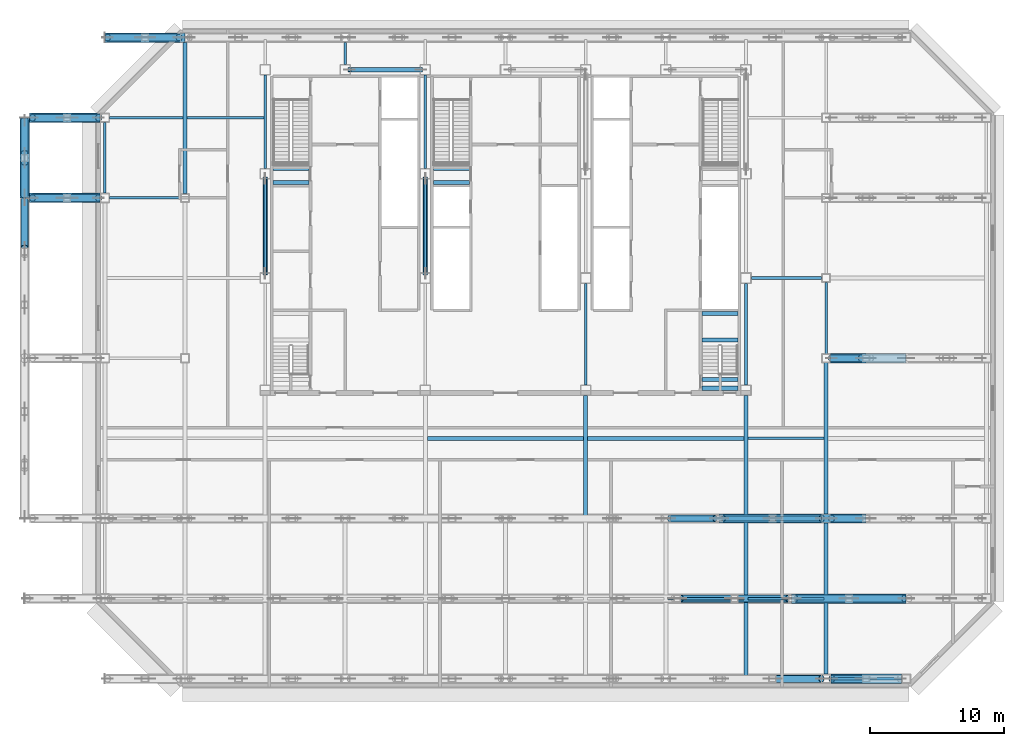
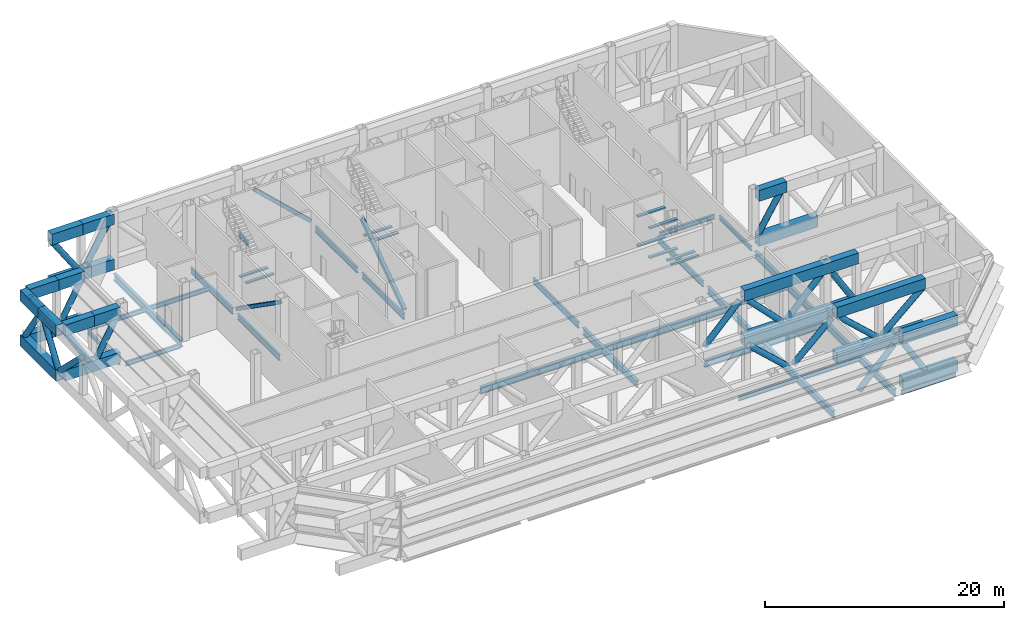
# One storey, part 3 of 17: 56 beams, 23 members.
"""IFC4 building model written with IfcOpenShell, lengths in metres."""

from ifc_helpers import new_model, si_unit, direction, frame, origin, origin_2d, place, context, subcontext, project, spatial, rectangle, hollow_rectangle, hollow_circle, i_section, extrude, material, material_profile, profile_set, type_object, element, save


model = new_model("IFC4")

# Units and contexts
model_context = context("Model", 3, precision=1e-05, world=origin(), true_north=direction((0.0, 1.0)))
body_context = subcontext(model_context, "Body", "Model", "MODEL_VIEW")
ifc_project = project(units=[si_unit("LENGTHUNIT", "METRE"), si_unit("AREAUNIT", "SQUARE_METRE"), si_unit("VOLUMEUNIT", "CUBIC_METRE"), si_unit("PLANEANGLEUNIT", "RADIAN"), si_unit("MASSUNIT", "GRAM", prefix="KILO")], contexts=[model_context])

# Site, building, storey
site_placement = place(None, origin())
site = spatial("IfcSite", under=ifc_project, at=site_placement, CompositionType="ELEMENT")
building_placement = place(site_placement, origin())
building = spatial("IfcBuilding", under=site, at=building_placement, Name="Sorahane Residences", CompositionType="ELEMENT")
storey_placement = place(building_placement, frame((0.0, 0.0, 186.0)))
storey = spatial("IfcBuildingStorey", under=building, at=storey_placement, Name="L43", CompositionType="ELEMENT", Elevation=186.0)

# Members
ifc_material_1 = material(Name="Steel Q355B", Category="steel")
ifc_material_profile_1 = material_profile(ifc_material_1, hollow_rectangle(XDim=0.35009765625, YDim=0.35009765625, WallThickness=0.01806640625, InnerFilletRadius=0.009033203125, OuterFilletRadius=0.027099609375, at=origin_2d()), Name="RHS 350x350x18")
ifc_profile_set_1 = profile_set([ifc_material_profile_1], Name="Steel Q355B")
member_type_1 = type_object("IfcMemberType", Name="Core brace RHS 350x350x18 Q355B", PredefinedType="BRACE", material=ifc_profile_set_1)
member_1_placement = place(storey_placement, frame((17.672119140625, 45.60009765625, 0.107177734375), z_axis=(-0.727807481215, 0.0, 0.685781503314), x_axis=(0.0, -1.0, 0.0)))
element("IfcMember", 1, at=member_1_placement, inside=storey, type_object=member_type_1, Name="Core brace L43 y45.6-2", PredefinedType="BRACE", context=body_context, shape_type="SweptSolid", body=[
    extrude(hollow_rectangle(XDim=0.35009765625, YDim=0.35009765625, WallThickness=0.01806640625, InnerFilletRadius=0.009033203125, OuterFilletRadius=0.027099609375, at=origin_2d()), origin(), (0.0, 0.0, 1.0), 7.343017578125),
])
for number, where, z_axis, x_axis, name in (
    (2, (6.0, 37.460205078125, 0.1328125), (0.0, -0.8192253223, 0.573471770275), (1.0, 0.0, 0.0), "Core brace L43 x6-2"),
    (3, (18.0, 30.33984375, 0.1328125), (0.0, 0.8192253223, 0.573471770275), (-1.0, 0.0, 0.0), "Core brace L43 x18-1"),
):
    element("IfcMember", number, at=place(storey_placement, frame(where, z_axis=z_axis, x_axis=x_axis)), inside=storey, type_object=member_type_1, Name=name, PredefinedType="BRACE", context=body_context, shape_type="SweptSolid", body=[
        extrude(hollow_rectangle(XDim=0.35009765625, YDim=0.35009765625, WallThickness=0.01806640625, InnerFilletRadius=0.009033203125, OuterFilletRadius=0.027099609375, at=origin_2d()), origin(), (0.0, 0.0, 1.0), 8.691650390625),
    ])

# Beams
ifc_material_2 = material(Name="Concrete C40", Category="concrete")
ifc_material_profile_2 = material_profile(ifc_material_2, rectangle(XDim=0.300048828125, YDim=0.139892578125, at=origin_2d()), Name="300x140")
ifc_profile_set_2 = profile_set([ifc_material_profile_2], Name="Concrete C40")
beam_type_1 = type_object("IfcBeamType", Name="RC landing beam 300 x 140 Concrete C40", PredefinedType="BEAM", material=ifc_profile_set_2)
for number, where, z_axis, x_axis, name in (
    (4, (6.60009765625, 37.14990234375, 2.72998046875), (1.0, 0.0, 0.0), (0.0, 1.0, 0.0), "Landing beam"),
    (5, (6.60009765625, 38.18994140625, 2.72998046875), (1.0, 0.0, 0.0), (0.0, 1.0, 0.0), "Landing beam"),
    (6, (18.60009765625, 37.14990234375, 2.72998046875), (1.0, 0.0, 0.0), (0.0, 1.0, 0.0), "Landing beam"),
    (7, (18.60009765625, 38.18994140625, 2.72998046875), (1.0, 0.0, 0.0), (0.0, 1.0, 0.0), "Landing beam"),
    (8, (38.699951171875, 25.3798828125, 1.22998046875), (1.0, 0.0, 0.0), (0.0, 1.0, 0.0), "Landing beam"),
    (9, (38.699951171875, 27.35009765625, 1.22998046875), (1.0, 0.0, 0.0), (0.0, 1.0, 0.0), "Landing beam"),
    (10, (38.699951171875, 21.75, 2.72998046875), (1.0, 0.0, 0.0), (0.0, 1.0, 0.0), "Landing beam"),
    (11, (38.699951171875, 22.39990234375, 2.72998046875), (1.0, 0.0, 0.0), (0.0, 1.0, 0.0), "Landing beam"),
    (12, (38.699951171875, 25.3798828125, 4.22998046875), (1.0, 0.0, 0.0), (0.0, 1.0, 0.0), "Landing beam"),
    (13, (38.699951171875, 27.35009765625, 4.22998046875), (1.0, 0.0, 0.0), (0.0, 1.0, 0.0), "Landing beam"),
):
    element("IfcBeam", number, at=place(storey_placement, frame(where, z_axis=z_axis, x_axis=x_axis)), inside=storey, type_object=beam_type_1, Name=name, PredefinedType="BEAM", context=body_context, shape_type="SweptSolid", body=[
        extrude(rectangle(XDim=0.300048828125, YDim=0.139892578125, at=origin_2d()), origin(), (0.0, 0.0, 1.0), 2.699951171875),
    ])
ifc_material_3 = material(Name="Steel Q355B", Category="steel")
ifc_material_profile_3 = material_profile(ifc_material_3, i_section(OverallWidth=0.199951171875, OverallDepth=0.449951171875, WebThickness=0.009033203125, FlangeThickness=0.013916015625, FilletRadius=0.02001953125, at=origin_2d()), Name="HN 450x200x9x14")
ifc_profile_set_3 = profile_set([ifc_material_profile_3], Name="Steel Q355B")
beam_type_2 = type_object("IfcBeamType", Name="Steel floor beam HN 450x200x9x14 Q355B", PredefinedType="BEAM", material=ifc_profile_set_3)
beam_1_placement = place(storey_placement, frame((48.35009765625, 0.0, -0.52490234375), z_axis=(1.0, 0.0, 0.0), x_axis=(0.0, 1.0, 0.0)))
element("IfcBeam", 14, at=beam_1_placement, inside=storey, type_object=beam_type_2, Name="Beam L43 004", PredefinedType="BEAM", context=body_context, shape_type="SweptSolid", body=[
    extrude(i_section(OverallWidth=0.199951171875, OverallDepth=0.449951171875, WebThickness=0.009033203125, FlangeThickness=0.013916015625, FilletRadius=0.02001953125, at=origin_2d()), origin(), (0.0, 0.0, 1.0), 5.2998046875),
])
beam_2_placement = place(storey_placement, frame((-5.64990234375, 36.0, -0.52490234375), z_axis=(1.0, 0.0, 0.0), x_axis=(0.0, 1.0, 0.0)))
element("IfcBeam", 15, at=beam_2_placement, inside=storey, type_object=beam_type_2, Name="Beam L43 013", PredefinedType="BEAM", context=body_context, shape_type="SweptSolid", body=[
    extrude(i_section(OverallWidth=0.199951171875, OverallDepth=0.449951171875, WebThickness=0.009033203125, FlangeThickness=0.013916015625, FilletRadius=0.02001953125, at=origin_2d()), origin(), (0.0, 0.0, 1.0), 5.324951171875),
])
beam_3_placement = place(storey_placement, frame((-6.0, 36.35009765625, -0.52490234375), z_axis=(0.0, 1.0, 0.0), x_axis=(-1.0, 0.0, 0.0)))
element("IfcBeam", 16, at=beam_3_placement, inside=storey, type_object=beam_type_2, Name="Beam L43 023", PredefinedType="BEAM", context=body_context, shape_type="SweptSolid", body=[
    extrude(i_section(OverallWidth=0.199951171875, OverallDepth=0.449951171875, WebThickness=0.009033203125, FlangeThickness=0.013916015625, FilletRadius=0.02001953125, at=origin_2d()), origin(), (0.0, 0.0, 1.0), 5.2998046875),
])
beam_4_placement = place(storey_placement, frame((12.0, 46.0, -0.52490234375), z_axis=(0.0, 1.0, 0.0), x_axis=(-1.0, 0.0, 0.0)))
element("IfcBeam", 17, at=beam_4_placement, inside=storey, type_object=beam_type_2, Name="Beam L43 035", PredefinedType="BEAM", context=body_context, shape_type="SweptSolid", body=[
    extrude(i_section(OverallWidth=0.199951171875, OverallDepth=0.449951171875, WebThickness=0.009033203125, FlangeThickness=0.013916015625, FilletRadius=0.02001953125, at=origin_2d()), origin(), (0.0, 0.0, 1.0), 1.64990234375),
])
beam_5_placement = place(storey_placement, frame((48.0, 24.324951171875, -0.52490234375), z_axis=(0.0, 1.0, 0.0), x_axis=(-1.0, 0.0, 0.0)))
element("IfcBeam", 18, at=beam_5_placement, inside=storey, type_object=beam_type_2, Name="Beam L43 060", PredefinedType="BEAM", context=body_context, shape_type="SweptSolid", body=[
    extrude(i_section(OverallWidth=0.199951171875, OverallDepth=0.449951171875, WebThickness=0.009033203125, FlangeThickness=0.013916015625, FilletRadius=0.02001953125, at=origin_2d()), origin(), (0.0, 0.0, 1.0), 5.35009765625),
])
for number, where, z_axis, x_axis, name in (
    (19, (36.14990234375, 6.0, -0.52490234375), (1.0, 0.0, 0.0), (0.0, 1.0, 0.0), "Beam L43 075"),
    (20, (42.14990234375, 6.0, -0.52490234375), (1.0, 0.0, 0.0), (0.0, 1.0, 0.0), "Beam L43 076"),
    (21, (42.14990234375, 18.0, -0.52490234375), (1.0, 0.0, 0.0), (0.0, 1.0, 0.0), "Beam L43 083"),
):
    element("IfcBeam", number, at=place(storey_placement, frame(where, z_axis=z_axis, x_axis=x_axis)), inside=storey, type_object=beam_type_2, Name=name, PredefinedType="BEAM", context=body_context, shape_type="SweptSolid", body=[
        extrude(i_section(OverallWidth=0.199951171875, OverallDepth=0.449951171875, WebThickness=0.009033203125, FlangeThickness=0.013916015625, FilletRadius=0.02001953125, at=origin_2d()), origin(), (0.0, 0.0, 1.0), 5.7001953125),
    ])
beam_6_placement = place(storey_placement, frame((42.39990234375, 30.0, -0.52490234375), z_axis=(1.0, 0.0, 0.0), x_axis=(0.0, 1.0, 0.0)))
element("IfcBeam", 22, at=beam_6_placement, inside=storey, type_object=beam_type_2, Name="Beam L43 087", PredefinedType="BEAM", context=body_context, shape_type="SweptSolid", body=[
    extrude(i_section(OverallWidth=0.199951171875, OverallDepth=0.449951171875, WebThickness=0.009033203125, FlangeThickness=0.013916015625, FilletRadius=0.02001953125, at=origin_2d()), origin(), (0.0, 0.0, 1.0), 5.275146484375),
])
beam_7_placement = place(storey_placement, frame((-5.64990234375, 42.0, -0.52490234375), z_axis=(1.0, 0.0, 0.0), x_axis=(0.0, 1.0, 0.0)))
element("IfcBeam", 23, at=beam_7_placement, inside=storey, type_object=beam_type_2, Name="Beam L43 089", PredefinedType="BEAM", context=body_context, shape_type="SweptSolid", body=[
    extrude(i_section(OverallWidth=0.199951171875, OverallDepth=0.449951171875, WebThickness=0.009033203125, FlangeThickness=0.013916015625, FilletRadius=0.02001953125, at=origin_2d()), origin(), (0.0, 0.0, 1.0), 5.5),
])
beam_8_placement = place(storey_placement, frame((0.14990234375, 42.0, -0.52490234375), z_axis=(1.0, 0.0, 0.0), x_axis=(0.0, 1.0, 0.0)))
element("IfcBeam", 24, at=beam_8_placement, inside=storey, type_object=beam_type_2, Name="Beam L43 090", PredefinedType="BEAM", context=body_context, shape_type="SweptSolid", body=[
    extrude(i_section(OverallWidth=0.199951171875, OverallDepth=0.449951171875, WebThickness=0.009033203125, FlangeThickness=0.013916015625, FilletRadius=0.02001953125, at=origin_2d()), origin(), (0.0, 0.0, 1.0), 5.75),
])
ifc_material_4 = material(Name="Steel Q355B", Category="steel")
ifc_material_profile_4 = material_profile(ifc_material_4, i_section(OverallWidth=0.199951171875, OverallDepth=0.60009765625, WebThickness=0.010986328125, FlangeThickness=0.01708984375, FilletRadius=0.02392578125, at=origin_2d()), Name="HN 600x200x11x17")
ifc_profile_set_4 = profile_set([ifc_material_profile_4], Name="Steel Q355B")
beam_type_3 = type_object("IfcBeamType", Name="Steel floor beam HN 600x200x11x17 Q355B", PredefinedType="BEAM", material=ifc_profile_set_4)
for number, where, z_axis, x_axis, name in (
    (25, (6.0, 30.39990234375, -0.60009765625), (0.0, 1.0, 0.0), (-1.0, 0.0, 0.0), "Beam L43 031"),
    (26, (6.0, 38.199951171875, -0.60009765625), (0.0, 1.0, 0.0), (-1.0, 0.0, 0.0), "Beam L43 032"),
    (27, (18.0, 30.39990234375, -0.60009765625), (0.0, 1.0, 0.0), (-1.0, 0.0, 0.0), "Beam L43 039"),
    (28, (18.0, 38.199951171875, -0.60009765625), (0.0, 1.0, 0.0), (-1.0, 0.0, 0.0), "Beam L43 040"),
):
    element("IfcBeam", number, at=place(storey_placement, frame(where, z_axis=z_axis, x_axis=x_axis)), inside=storey, type_object=beam_type_3, Name=name, PredefinedType="BEAM", context=body_context, shape_type="SweptSolid", body=[
        extrude(i_section(OverallWidth=0.199951171875, OverallDepth=0.60009765625, WebThickness=0.010986328125, FlangeThickness=0.01708984375, FilletRadius=0.02392578125, at=origin_2d()), origin(), (0.0, 0.0, 1.0), 7.0),
    ])
for number, where, z_axis, x_axis, name in (
    (29, (30.0, 22.0, -0.60009765625), (0.0, 1.0, 0.0), (-1.0, 0.0, 0.0), "Beam L43 046"),
    (30, (42.0, 22.0, -0.60009765625), (0.0, 1.0, 0.0), (-1.0, 0.0, 0.0), "Beam L43 054"),
):
    element("IfcBeam", number, at=place(storey_placement, frame(where, z_axis=z_axis, x_axis=x_axis)), inside=storey, type_object=beam_type_3, Name=name, PredefinedType="BEAM", context=body_context, shape_type="SweptSolid", body=[
        extrude(i_section(OverallWidth=0.199951171875, OverallDepth=0.60009765625, WebThickness=0.010986328125, FlangeThickness=0.01708984375, FilletRadius=0.02392578125, at=origin_2d()), origin(), (0.0, 0.0, 1.0), 7.60009765625),
    ])
ifc_material_5 = material(Name="Steel Q355B", Category="steel")
ifc_material_profile_5 = material_profile(ifc_material_5, i_section(OverallWidth=0.300048828125, OverallDepth=0.699951171875, WebThickness=0.012939453125, FlangeThickness=0.02392578125, FilletRadius=0.028076171875, at=origin_2d()), Name="HN 700x300x13x24")
ifc_profile_set_5 = profile_set([ifc_material_profile_5], Name="Steel Q355B")
beam_type_4 = type_object("IfcBeamType", Name="Steel floor beam HN 700x300x13x24 Q355B", PredefinedType="BEAM", material=ifc_profile_set_5)
beam_9_placement = place(storey_placement, frame((36.324951171875, 12.0, -0.64990234375), z_axis=(1.0, 0.0, 0.0), x_axis=(0.0, 1.0, 0.0)))
element("IfcBeam", 31, at=beam_9_placement, inside=storey, type_object=beam_type_4, Name="Beam L43 009", PredefinedType="BEAM", context=body_context, shape_type="SweptSolid", body=[
    extrude(i_section(OverallWidth=0.300048828125, OverallDepth=0.699951171875, WebThickness=0.012939453125, FlangeThickness=0.02392578125, FilletRadius=0.028076171875, at=origin_2d()), origin(), (0.0, 0.0, 1.0), 11.35009765625),
])
beam_10_placement = place(storey_placement, frame((0.0, 36.324951171875, -0.64990234375), z_axis=(0.0, 1.0, 0.0), x_axis=(-1.0, 0.0, 0.0)))
element("IfcBeam", 32, at=beam_10_placement, inside=storey, type_object=beam_type_4, Name="Beam L43 027", PredefinedType="BEAM", context=body_context, shape_type="SweptSolid", body=[
    extrude(i_section(OverallWidth=0.300048828125, OverallDepth=0.699951171875, WebThickness=0.012939453125, FlangeThickness=0.02392578125, FilletRadius=0.028076171875, at=origin_2d()), origin(), (0.0, 0.0, 1.0), 11.324951171875),
])
beam_11_placement = place(storey_placement, frame((30.0, 12.14990234375, -0.64990234375), z_axis=(0.0, 1.0, 0.0), x_axis=(-1.0, 0.0, 0.0)))
element("IfcBeam", 33, at=beam_11_placement, inside=storey, type_object=beam_type_4, Name="Beam L43 045", PredefinedType="BEAM", context=body_context, shape_type="SweptSolid", body=[
    extrude(i_section(OverallWidth=0.300048828125, OverallDepth=0.699951171875, WebThickness=0.012939453125, FlangeThickness=0.02392578125, FilletRadius=0.028076171875, at=origin_2d()), origin(), (0.0, 0.0, 1.0), 9.050048828125),
])
beam_12_placement = place(storey_placement, frame((42.0, 0.14990234375, -0.64990234375), z_axis=(0.0, 1.0, 0.0), x_axis=(-1.0, 0.0, 0.0)))
element("IfcBeam", 34, at=beam_12_placement, inside=storey, type_object=beam_type_4, Name="Beam L43 052", PredefinedType="BEAM", context=body_context, shape_type="SweptSolid", body=[
    extrude(i_section(OverallWidth=0.300048828125, OverallDepth=0.699951171875, WebThickness=0.012939453125, FlangeThickness=0.02392578125, FilletRadius=0.028076171875, at=origin_2d()), origin(), (0.0, 0.0, 1.0), 11.7001953125),
])
beam_13_placement = place(storey_placement, frame((42.0, 12.14990234375, -0.64990234375), z_axis=(0.0, 1.0, 0.0), x_axis=(-1.0, 0.0, 0.0)))
element("IfcBeam", 35, at=beam_13_placement, inside=storey, type_object=beam_type_4, Name="Beam L43 053", PredefinedType="BEAM", context=body_context, shape_type="SweptSolid", body=[
    extrude(i_section(OverallWidth=0.300048828125, OverallDepth=0.699951171875, WebThickness=0.012939453125, FlangeThickness=0.02392578125, FilletRadius=0.028076171875, at=origin_2d()), origin(), (0.0, 0.0, 1.0), 9.050048828125),
])
beam_14_placement = place(storey_placement, frame((48.0, 0.35009765625, -0.64990234375), z_axis=(0.0, 1.0, 0.0), x_axis=(-1.0, 0.0, 0.0)))
element("IfcBeam", 36, at=beam_14_placement, inside=storey, type_object=beam_type_4, Name="Beam L43 058", PredefinedType="BEAM", context=body_context, shape_type="SweptSolid", body=[
    extrude(i_section(OverallWidth=0.300048828125, OverallDepth=0.699951171875, WebThickness=0.012939453125, FlangeThickness=0.02392578125, FilletRadius=0.028076171875, at=origin_2d()), origin(), (0.0, 0.0, 1.0), 11.324951171875),
])
beam_15_placement = place(storey_placement, frame((48.0, 12.324951171875, -0.64990234375), z_axis=(0.0, 1.0, 0.0), x_axis=(-1.0, 0.0, 0.0)))
element("IfcBeam", 37, at=beam_15_placement, inside=storey, type_object=beam_type_4, Name="Beam L43 059", PredefinedType="BEAM", context=body_context, shape_type="SweptSolid", body=[
    extrude(i_section(OverallWidth=0.300048828125, OverallDepth=0.699951171875, WebThickness=0.012939453125, FlangeThickness=0.02392578125, FilletRadius=0.028076171875, at=origin_2d()), origin(), (0.0, 0.0, 1.0), 11.35009765625),
])
for number, where, z_axis, x_axis, name in (
    (38, (18.14990234375, 18.0, -0.64990234375), (1.0, 0.0, 0.0), (0.0, 1.0, 0.0), "Beam L43 081"),
    (39, (30.14990234375, 18.0, -0.64990234375), (1.0, 0.0, 0.0), (0.0, 1.0, 0.0), "Beam L43 082"),
):
    element("IfcBeam", number, at=place(storey_placement, frame(where, z_axis=z_axis, x_axis=x_axis)), inside=storey, type_object=beam_type_4, Name=name, PredefinedType="BEAM", context=body_context, shape_type="SweptSolid", body=[
        extrude(i_section(OverallWidth=0.300048828125, OverallDepth=0.699951171875, WebThickness=0.012939453125, FlangeThickness=0.02392578125, FilletRadius=0.028076171875, at=origin_2d()), origin(), (0.0, 0.0, 1.0), 11.7001953125),
    ])
ifc_material_6 = material(Name="Steel Q420GJ", Category="steel")
ifc_material_profile_6 = material_profile(ifc_material_6, hollow_rectangle(XDim=0.699951171875, YDim=1.10009765625, WallThickness=0.050048828125, at=origin_2d()), Name="BOX 1100x700x50")
ifc_profile_set_6 = profile_set([ifc_material_profile_6], Name="Steel Q420GJ")
beam_type_5 = type_object("IfcBeamType", Name="Truss chord BOX 1100x700x50 Q420GJ", PredefinedType="BEAM", material=ifc_profile_set_6)
for number, where, z_axis, x_axis, name in (
    (40, (48.35009765625, 0.0, 0.550048828125), (1.0, 0.0, 0.0), (0.0, 1.0, 0.0), "Truss chord L43"),
    (41, (48.35009765625, 0.0, 5.14990234375), (1.0, 0.0, 0.0), (0.0, 1.0, 0.0), "Truss chord L43"),
):
    element("IfcBeam", number, at=place(storey_placement, frame(where, z_axis=z_axis, x_axis=x_axis)), inside=storey, type_object=beam_type_5, Name=name, PredefinedType="BEAM", context=body_context, shape_type="SweptSolid", body=[
        extrude(hollow_rectangle(XDim=0.699951171875, YDim=1.10009765625, WallThickness=0.050048828125, at=origin_2d()), origin(), (0.0, 0.0, 1.0), 5.2998046875),
    ])
for number, where, z_axis, x_axis, name in (
    (42, (45.428466796875, 6.0, 0.550048828125), (1.0, 0.0, 0.0), (0.0, 1.0, 0.0), "Truss chord L43"),
    (43, (45.428466796875, 6.0, 5.14990234375), (1.0, 0.0, 0.0), (0.0, 1.0, 0.0), "Truss chord L43"),
):
    element("IfcBeam", number, at=place(storey_placement, frame(where, z_axis=z_axis, x_axis=x_axis)), inside=storey, type_object=beam_type_5, Name=name, PredefinedType="BEAM", context=body_context, shape_type="SweptSolid", body=[
        extrude(hollow_rectangle(XDim=0.699951171875, YDim=1.10009765625, WallThickness=0.050048828125, at=origin_2d()), origin(), (0.0, 0.0, 1.0), 8.571533203125),
    ])
for number, where, z_axis, x_axis, name in (
    (44, (40.0, 12.0, 0.550048828125), (1.0, 0.0, 0.0), (0.0, 1.0, 0.0), "Truss chord L43"),
    (45, (40.0, 12.0, 5.14990234375), (1.0, 0.0, 0.0), (0.0, 1.0, 0.0), "Truss chord L43"),
):
    element("IfcBeam", number, at=place(storey_placement, frame(where, z_axis=z_axis, x_axis=x_axis)), inside=storey, type_object=beam_type_5, Name=name, PredefinedType="BEAM", context=body_context, shape_type="SweptSolid", body=[
        extrude(hollow_rectangle(XDim=0.699951171875, YDim=1.10009765625, WallThickness=0.050048828125, at=origin_2d()), origin(), (0.0, 0.0, 1.0), 11.0),
    ])
beam_16_placement = place(storey_placement, frame((48.324951171875, 24.0, 0.550048828125), z_axis=(1.0, 0.0, 0.0), x_axis=(0.0, 1.0, 0.0)))
element("IfcBeam", 46, at=beam_16_placement, inside=storey, type_object=beam_type_5, Name="Truss chord L43", PredefinedType="BEAM", context=body_context, shape_type="SweptSolid", body=[
    extrude(hollow_rectangle(XDim=0.699951171875, YDim=1.10009765625, WallThickness=0.050048828125, at=origin_2d()), origin(), (0.0, 0.0, 1.0), 5.675048828125),
])
beam_17_placement = place(storey_placement, frame((48.324951171875, 24.0, 5.14990234375), z_axis=(1.0, 0.0, 0.0), x_axis=(0.0, 1.0, 0.0)))
element("IfcBeam", 47, at=beam_17_placement, inside=storey, type_object=beam_type_5, Name="Truss chord L43", PredefinedType="BEAM", context=body_context, shape_type="SweptSolid", body=[
    extrude(hollow_rectangle(XDim=0.699951171875, YDim=1.10009765625, WallThickness=0.050048828125, at=origin_2d()), origin(), (0.0, 0.0, 1.0), 2.675048828125),
])
beam_18_placement = place(storey_placement, frame((-11.64990234375, 36.0, 0.550048828125), z_axis=(1.0, 0.0, 0.0), x_axis=(0.0, 1.0, 0.0)))
element("IfcBeam", 48, at=beam_18_placement, inside=storey, type_object=beam_type_5, Name="Truss chord L43", PredefinedType="BEAM", context=body_context, shape_type="SweptSolid", body=[
    extrude(hollow_rectangle(XDim=0.699951171875, YDim=1.10009765625, WallThickness=0.050048828125, at=origin_2d()), origin(), (0.0, 0.0, 1.0), 5.2998046875),
])
beam_19_placement = place(storey_placement, frame((-11.64990234375, 36.0, 5.14990234375), z_axis=(1.0, 0.0, 0.0), x_axis=(0.0, 1.0, 0.0)))
element("IfcBeam", 49, at=beam_19_placement, inside=storey, type_object=beam_type_5, Name="Truss chord L43", PredefinedType="BEAM", context=body_context, shape_type="SweptSolid", body=[
    extrude(hollow_rectangle(XDim=0.699951171875, YDim=1.10009765625, WallThickness=0.050048828125, at=origin_2d()), origin(), (0.0, 0.0, 1.0), 2.824951171875),
])
beam_20_placement = place(storey_placement, frame((-8.824951171875, 36.0, 5.14990234375), z_axis=(1.0, 0.0, 0.0), x_axis=(0.0, 1.0, 0.0)))
element("IfcBeam", 50, at=beam_20_placement, inside=storey, type_object=beam_type_5, Name="Truss chord L43", PredefinedType="BEAM", context=body_context, shape_type="SweptSolid", body=[
    extrude(hollow_rectangle(XDim=0.699951171875, YDim=1.10009765625, WallThickness=0.050048828125, at=origin_2d()), origin(), (0.0, 0.0, 1.0), 2.474853515625),
])
beam_21_placement = place(storey_placement, frame((-11.64990234375, 42.0, 0.550048828125), z_axis=(1.0, 0.0, 0.0), x_axis=(0.0, 1.0, 0.0)))
element("IfcBeam", 51, at=beam_21_placement, inside=storey, type_object=beam_type_5, Name="Truss chord L43", PredefinedType="BEAM", context=body_context, shape_type="SweptSolid", body=[
    extrude(hollow_rectangle(XDim=0.699951171875, YDim=1.10009765625, WallThickness=0.050048828125, at=origin_2d()), origin(), (0.0, 0.0, 1.0), 5.2998046875),
])
beam_22_placement = place(storey_placement, frame((-11.64990234375, 42.0, 5.14990234375), z_axis=(1.0, 0.0, 0.0), x_axis=(0.0, 1.0, 0.0)))
element("IfcBeam", 52, at=beam_22_placement, inside=storey, type_object=beam_type_5, Name="Truss chord L43", PredefinedType="BEAM", context=body_context, shape_type="SweptSolid", body=[
    extrude(hollow_rectangle(XDim=0.699951171875, YDim=1.10009765625, WallThickness=0.050048828125, at=origin_2d()), origin(), (0.0, 0.0, 1.0), 2.824951171875),
])
beam_23_placement = place(storey_placement, frame((-8.824951171875, 42.0, 5.14990234375), z_axis=(1.0, 0.0, 0.0), x_axis=(0.0, 1.0, 0.0)))
element("IfcBeam", 53, at=beam_23_placement, inside=storey, type_object=beam_type_5, Name="Truss chord L43", PredefinedType="BEAM", context=body_context, shape_type="SweptSolid", body=[
    extrude(hollow_rectangle(XDim=0.699951171875, YDim=1.10009765625, WallThickness=0.050048828125, at=origin_2d()), origin(), (0.0, 0.0, 1.0), 2.474853515625),
])
beam_24_placement = place(storey_placement, frame((-6.0, 48.0, 0.550048828125), z_axis=(1.0, 0.0, 0.0), x_axis=(0.0, 1.0, 0.0)))
element("IfcBeam", 54, at=beam_24_placement, inside=storey, type_object=beam_type_5, Name="Truss chord L43", PredefinedType="BEAM", context=body_context, shape_type="SweptSolid", body=[
    extrude(hollow_rectangle(XDim=0.699951171875, YDim=1.10009765625, WallThickness=0.050048828125, at=origin_2d()), origin(), (0.0, 0.0, 1.0), 6.0),
])
for number, where, z_axis, x_axis, name in (
    (55, (-6.0, 48.0, 5.14990234375), (1.0, 0.0, 0.0), (0.0, 1.0, 0.0), "Truss chord L43"),
    (56, (-3.0, 48.0, 5.14990234375), (1.0, 0.0, 0.0), (0.0, 1.0, 0.0), "Truss chord L43"),
):
    element("IfcBeam", number, at=place(storey_placement, frame(where, z_axis=z_axis, x_axis=x_axis)), inside=storey, type_object=beam_type_5, Name=name, PredefinedType="BEAM", context=body_context, shape_type="SweptSolid", body=[
        extrude(hollow_rectangle(XDim=0.699951171875, YDim=1.10009765625, WallThickness=0.050048828125, at=origin_2d()), origin(), (0.0, 0.0, 1.0), 3.0),
    ])
beam_25_placement = place(storey_placement, frame((-12.0, 36.0, 0.550048828125), z_axis=(0.0, 1.0, 0.0), x_axis=(-1.0, 0.0, 0.0)))
element("IfcBeam", 57, at=beam_25_placement, inside=storey, type_object=beam_type_5, Name="Truss chord L43", PredefinedType="BEAM", context=body_context, shape_type="SweptSolid", body=[
    extrude(hollow_rectangle(XDim=0.699951171875, YDim=1.10009765625, WallThickness=0.050048828125, at=origin_2d()), origin(), (0.0, 0.0, 1.0), 6.0),
])
for number, where, z_axis, x_axis, name in (
    (58, (-12.0, 36.0, 5.14990234375), (0.0, 1.0, 0.0), (-1.0, 0.0, 0.0), "Truss chord L43"),
    (59, (-12.0, 39.0, 5.14990234375), (0.0, 1.0, 0.0), (-1.0, 0.0, 0.0), "Truss chord L43"),
):
    element("IfcBeam", number, at=place(storey_placement, frame(where, z_axis=z_axis, x_axis=x_axis)), inside=storey, type_object=beam_type_5, Name=name, PredefinedType="BEAM", context=body_context, shape_type="SweptSolid", body=[
        extrude(hollow_rectangle(XDim=0.699951171875, YDim=1.10009765625, WallThickness=0.050048828125, at=origin_2d()), origin(), (0.0, 0.0, 1.0), 3.0),
    ])

# Members
ifc_material_7 = material(Name="Steel Q420GJ", Category="steel")
ifc_material_profile_7 = material_profile(ifc_material_7, hollow_circle(Radius=0.27490234375, WallThickness=0.028076171875, at=origin_2d()), Name="CHS 550x28")
ifc_profile_set_7 = profile_set([ifc_material_profile_7], Name="Steel Q420GJ")
member_type_2 = type_object("IfcMemberType", Name="Truss diagonal CHS 550x28 Q420GJ", PredefinedType="BRACE", material=ifc_profile_set_7)
member_2_placement = place(storey_placement, frame((44.27490234375, 0.0, 1.083740234375), z_axis=(0.690807269402, 0.0, 0.723038945383), x_axis=(0.0, 1.0, 0.0)))
element("IfcMember", 60, at=member_2_placement, inside=storey, type_object=member_type_2, Name="Truss diagonal L43", PredefinedType="BRACE", context=body_context, shape_type="SweptSolid", body=[
    extrude(hollow_circle(Radius=0.27490234375, WallThickness=0.028076171875, at=origin_2d()), origin(), (0.0, 0.0, 1.0), 4.885498046875),
])
member_3_placement = place(storey_placement, frame((48.438232421875, 0.0, 4.67724609375), z_axis=(0.515488774594, 0.0, -0.856896331692), x_axis=(0.0, 1.0, 0.0)))
element("IfcMember", 61, at=member_3_placement, inside=storey, type_object=member_type_2, Name="Truss diagonal L43", PredefinedType="BRACE", context=body_context, shape_type="SweptSolid", body=[
    extrude(hollow_circle(Radius=0.27490234375, WallThickness=0.028076171875, at=origin_2d()), origin(), (0.0, 0.0, 1.0), 4.264892578125),
])
member_4_placement = place(storey_placement, frame((37.132080078125, 6.0, 4.57275390625), z_axis=(0.735088849396, 0.0, -0.677970783658), x_axis=(0.0, 1.0, 0.0)))
element("IfcMember", 62, at=member_4_placement, inside=storey, type_object=member_type_2, Name="Truss diagonal L43", PredefinedType="BRACE", context=body_context, shape_type="SweptSolid", body=[
    extrude(hollow_circle(Radius=0.27490234375, WallThickness=0.028076171875, at=origin_2d()), origin(), (0.0, 0.0, 1.0), 5.082275390625),
])
for number, where, z_axis, x_axis, name in (
    (63, (41.41796875, 6.0, 1.127197265625), (0.735066767488, 0.0, 0.677994725153), (0.0, 1.0, 0.0), "Truss diagonal L43"),
    (64, (45.70361328125, 6.0, 4.57275390625), (0.735066767488, 0.0, -0.677994725153), (0.0, 1.0, 0.0), "Truss diagonal L43"),
):
    element("IfcMember", number, at=place(storey_placement, frame(where, z_axis=z_axis, x_axis=x_axis)), inside=storey, type_object=member_type_2, Name=name, PredefinedType="BRACE", context=body_context, shape_type="SweptSolid", body=[
        extrude(hollow_circle(Radius=0.27490234375, WallThickness=0.028076171875, at=origin_2d()), origin(), (0.0, 0.0, 1.0), 5.08203125),
    ])
member_5_placement = place(storey_placement, frame((49.9892578125, 6.0, 1.14013671875), z_axis=(0.748580795966, 0.0, 0.663043582211), x_axis=(0.0, 1.0, 0.0)))
element("IfcMember", 65, at=member_5_placement, inside=storey, type_object=member_type_2, Name="Truss diagonal L43", PredefinedType="BRACE", context=body_context, shape_type="SweptSolid", body=[
    extrude(hollow_circle(Radius=0.27490234375, WallThickness=0.028076171875, at=origin_2d()), origin(), (0.0, 0.0, 1.0), 5.157470703125),
])
member_6_placement = place(storey_placement, frame((36.324951171875, 12.0, 1.087158203125), z_axis=(0.694155863072, 0.0, 0.719824727112), x_axis=(0.0, 1.0, 0.0)))
element("IfcMember", 66, at=member_6_placement, inside=storey, type_object=member_type_2, Name="Truss diagonal L43", PredefinedType="BRACE", context=body_context, shape_type="SweptSolid", body=[
    extrude(hollow_circle(Radius=0.27490234375, WallThickness=0.028076171875, at=origin_2d()), origin(), (0.0, 0.0, 1.0), 4.898193359375),
])
member_7_placement = place(storey_placement, frame((40.27490234375, 12.0, 4.6064453125), z_axis=(0.700731450757, 0.0, -0.713425142478), x_axis=(0.0, 1.0, 0.0)))
element("IfcMember", 67, at=member_7_placement, inside=storey, type_object=member_type_2, Name="Truss diagonal L43", PredefinedType="BRACE", context=body_context, shape_type="SweptSolid", body=[
    extrude(hollow_circle(Radius=0.27490234375, WallThickness=0.028076171875, at=origin_2d()), origin(), (0.0, 0.0, 1.0), 4.923583984375),
])
member_8_placement = place(storey_placement, frame((44.27490234375, 12.0, 1.087158203125), z_axis=(0.694155863072, 0.0, 0.719824727112), x_axis=(0.0, 1.0, 0.0)))
element("IfcMember", 68, at=member_8_placement, inside=storey, type_object=member_type_2, Name="Truss diagonal L43", PredefinedType="BRACE", context=body_context, shape_type="SweptSolid", body=[
    extrude(hollow_circle(Radius=0.27490234375, WallThickness=0.028076171875, at=origin_2d()), origin(), (0.0, 0.0, 1.0), 4.898193359375),
])
for number, where, z_axis, x_axis, name in (
    (69, (48.409423828125, 12.0, 4.677734375), (0.520986446871, 0.0, -0.853564949009), (0.0, 1.0, 0.0), "Truss diagonal L43"),
    (70, (48.409423828125, 24.0, 1.022216796875), (0.520986446871, 0.0, 0.853564949009), (0.0, 1.0, 0.0), "Truss diagonal L43"),
    (71, (-11.41552734375, 36.0, 4.677734375), (0.520986446871, 0.0, -0.853564949009), (0.0, 1.0, 0.0), "Truss diagonal L43"),
):
    element("IfcMember", number, at=place(storey_placement, frame(where, z_axis=z_axis, x_axis=x_axis)), inside=storey, type_object=member_type_2, Name=name, PredefinedType="BRACE", context=body_context, shape_type="SweptSolid", body=[
        extrude(hollow_circle(Radius=0.27490234375, WallThickness=0.028076171875, at=origin_2d()), origin(), (0.0, 0.0, 1.0), 4.28271484375),
    ])
member_9_placement = place(storey_placement, frame((-8.435791015625, 36.0, 1.02685546875), z_axis=(0.475654999472, 0.0, 0.879631923862), x_axis=(0.0, 1.0, 0.0)))
element("IfcMember", 72, at=member_9_placement, inside=storey, type_object=member_type_2, Name="Truss diagonal L43", PredefinedType="BRACE", context=body_context, shape_type="SweptSolid", body=[
    extrude(hollow_circle(Radius=0.27490234375, WallThickness=0.028076171875, at=origin_2d()), origin(), (0.0, 0.0, 1.0), 4.145263671875),
])
member_10_placement = place(storey_placement, frame((-11.41552734375, 42.0, 4.677734375), z_axis=(0.520986446871, 0.0, -0.853564949009), x_axis=(0.0, 1.0, 0.0)))
element("IfcMember", 73, at=member_10_placement, inside=storey, type_object=member_type_2, Name="Truss diagonal L43", PredefinedType="BRACE", context=body_context, shape_type="SweptSolid", body=[
    extrude(hollow_circle(Radius=0.27490234375, WallThickness=0.028076171875, at=origin_2d()), origin(), (0.0, 0.0, 1.0), 4.28271484375),
])
member_11_placement = place(storey_placement, frame((-8.435791015625, 42.0, 1.02685546875), z_axis=(0.475654999472, 0.0, 0.879631923862), x_axis=(0.0, 1.0, 0.0)))
element("IfcMember", 74, at=member_11_placement, inside=storey, type_object=member_type_2, Name="Truss diagonal L43", PredefinedType="BRACE", context=body_context, shape_type="SweptSolid", body=[
    extrude(hollow_circle(Radius=0.27490234375, WallThickness=0.028076171875, at=origin_2d()), origin(), (0.0, 0.0, 1.0), 4.145263671875),
])
member_12_placement = place(storey_placement, frame((-5.792724609375, 48.0, 4.681396484375), z_axis=(0.55760796969, 0.0, -0.83010442243), x_axis=(0.0, 1.0, 0.0)))
element("IfcMember", 75, at=member_12_placement, inside=storey, type_object=member_type_2, Name="Truss diagonal L43", PredefinedType="BRACE", context=body_context, shape_type="SweptSolid", body=[
    extrude(hollow_circle(Radius=0.27490234375, WallThickness=0.028076171875, at=origin_2d()), origin(), (0.0, 0.0, 1.0), 4.41259765625),
])
member_13_placement = place(storey_placement, frame((-2.63671875, 48.0, 1.022705078125), z_axis=(0.515488774594, 0.0, 0.856896331692), x_axis=(0.0, 1.0, 0.0)))
element("IfcMember", 76, at=member_13_placement, inside=storey, type_object=member_type_2, Name="Truss diagonal L43", PredefinedType="BRACE", context=body_context, shape_type="SweptSolid", body=[
    extrude(hollow_circle(Radius=0.27490234375, WallThickness=0.028076171875, at=origin_2d()), origin(), (0.0, 0.0, 1.0), 4.264892578125),
])
member_14_placement = place(storey_placement, frame((-12.0, 32.27490234375, 4.5908203125), z_axis=(0.0, 0.716413272324, -0.697676159288), x_axis=(-1.0, 0.0, 0.0)))
element("IfcMember", 77, at=member_14_placement, inside=storey, type_object=member_type_2, Name="Truss diagonal L43", PredefinedType="BRACE", context=body_context, shape_type="SweptSolid", body=[
    extrude(hollow_circle(Radius=0.27490234375, WallThickness=0.028076171875, at=origin_2d()), origin(), (0.0, 0.0, 1.0), 4.990478515625),
])
for number, where, z_axis, x_axis, name in (
    (78, (-12.0, 36.207275390625, 1.0185546875), (0.0, 0.55760796969, 0.83010442243), (-1.0, 0.0, 0.0), "Truss diagonal L43"),
    (79, (-12.0, 39.332275390625, 4.681396484375), (0.0, 0.55760796969, -0.83010442243), (-1.0, 0.0, 0.0), "Truss diagonal L43"),
):
    element("IfcMember", number, at=place(storey_placement, frame(where, z_axis=z_axis, x_axis=x_axis)), inside=storey, type_object=member_type_2, Name=name, PredefinedType="BRACE", context=body_context, shape_type="SweptSolid", body=[
        extrude(hollow_circle(Radius=0.27490234375, WallThickness=0.028076171875, at=origin_2d()), origin(), (0.0, 0.0, 1.0), 4.41259765625),
    ])

save(model, "model.ifc")
